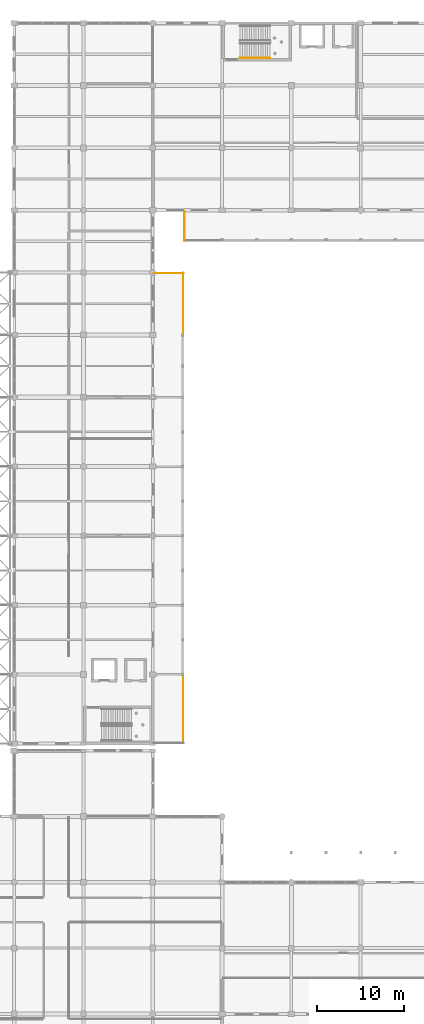
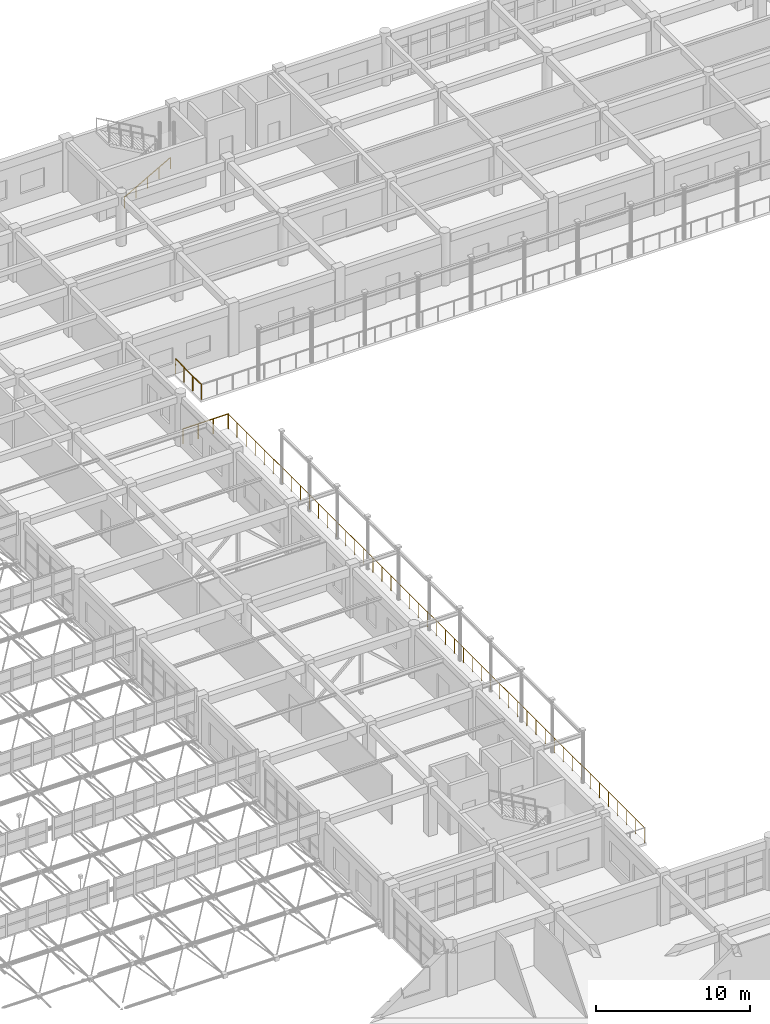
# One storey, part 188 of 195: 4 railings.
"""IFC4 building model written with IfcOpenShell, lengths in metres."""

from ifc_helpers import new_model, si_unit, direction, frame, origin, origin_2d, place, context, subcontext, project, spatial, circle, extrude, material, type_object, element, save


model = new_model("IFC4")

# Units and contexts
model_context = context("Model", 3, precision=1e-05, world=origin(), true_north=direction((0.0, 1.0)))
body_context = subcontext(model_context, "Body", "Model", "MODEL_VIEW")
ifc_project = project(units=[si_unit("LENGTHUNIT", "METRE"), si_unit("AREAUNIT", "SQUARE_METRE"), si_unit("VOLUMEUNIT", "CUBIC_METRE"), si_unit("PLANEANGLEUNIT", "RADIAN"), si_unit("MASSUNIT", "GRAM", prefix="KILO")], contexts=[model_context])

# Site, building, storey
site_placement = place(None, origin())
site = spatial("IfcSite", under=ifc_project, at=site_placement, CompositionType="ELEMENT")
building_placement = place(site_placement, origin())
building = spatial("IfcBuilding", under=site, at=building_placement, Name="Kharva Crest Polytechnic", CompositionType="ELEMENT")
storey_placement = place(building_placement, frame((0.0, 0.0, 9.0)))
storey = spatial("IfcBuildingStorey", under=building, at=storey_placement, Name="L02", CompositionType="ELEMENT", Elevation=9.0)

# Railings
ifc_material_1 = material(Name="Anodised aluminium", Category="aluminium")
railing_type_1 = type_object("IfcRailingType", Name="RL-BALUSTRADE-1200", PredefinedType="BALUSTRADE", material=ifc_material_1)
railing_1_placement = place(storey_placement, frame((48.139892578125, 93.1201171875, 0.0)))
element("IfcRailing", 1, at=railing_1_placement, inside=storey, type_object=railing_type_1, Name="L02 VER_W_L02 N Balustrade 13", PredefinedType="BALUSTRADE", context=body_context, shape_type="SweptSolid", body=[
    extrude(circle(Radius=0.02392578125, at=origin_2d()), frame((0.0, 0.0, 1.17578125), z_axis=(1.0, 0.0, 0.0), x_axis=(0.0, 1.0, 0.0)), (0.0, 0.0, 1.0), 3.400146484375),
    extrude(circle(Radius=0.02099609375, at=origin_2d()), origin(), (0.0, 0.0, 1.0), 1.15185546875),
    extrude(circle(Radius=0.02099609375, at=origin_2d()), frame((1.13330078125, 0.0, 0.0)), (0.0, 0.0, 1.0), 1.15185546875),
    extrude(circle(Radius=0.02099609375, at=origin_2d()), frame((2.266845703125, 0.0, 0.0)), (0.0, 0.0, 1.0), 1.15185546875),
    extrude(circle(Radius=0.02099609375, at=origin_2d()), frame((3.400146484375, 0.0, 0.0)), (0.0, 0.0, 1.0), 1.15185546875),
])
railing_2_placement = place(storey_placement, frame((51.52001953125, 38.860107421875, 0.0)))
element("IfcRailing", 2, at=railing_2_placement, inside=storey, type_object=railing_type_1, Name="L02 VER_W_L02 E Balustrade 14", PredefinedType="BALUSTRADE", context=body_context, shape_type="SweptSolid", body=[
    extrude(circle(Radius=0.02392578125, at=origin_2d()), frame((0.0, 0.0, 1.17578125), z_axis=(0.0, 1.0, 0.0), x_axis=(-1.0, 0.0, 0.0)), (0.0, 0.0, 1.0), 54.27978515625),
    extrude(circle(Radius=0.02099609375, at=origin_2d()), origin(), (0.0, 0.0, 1.0), 1.15185546875),
    extrude(circle(Radius=0.02099609375, at=origin_2d()), frame((0.0, 1.179931640625, 0.0)), (0.0, 0.0, 1.0), 1.15185546875),
    extrude(circle(Radius=0.02099609375, at=origin_2d()), frame((0.0, 2.360107421875, 0.0)), (0.0, 0.0, 1.0), 1.15185546875),
    extrude(circle(Radius=0.02099609375, at=origin_2d()), frame((0.0, 3.5400390625, 0.0)), (0.0, 0.0, 1.0), 1.15185546875),
    extrude(circle(Radius=0.02099609375, at=origin_2d()), frame((0.0, 4.719970703125, 0.0)), (0.0, 0.0, 1.0), 1.15185546875),
    extrude(circle(Radius=0.02099609375, at=origin_2d()), frame((0.0, 5.89990234375, 0.0)), (0.0, 0.0, 1.0), 1.15185546875),
    extrude(circle(Radius=0.02099609375, at=origin_2d()), frame((0.0, 7.080078125, 0.0)), (0.0, 0.0, 1.0), 1.15185546875),
    extrude(circle(Radius=0.02099609375, at=origin_2d()), frame((0.0, 8.260009765625, 0.0)), (0.0, 0.0, 1.0), 1.15185546875),
    extrude(circle(Radius=0.02099609375, at=origin_2d()), frame((0.0, 9.43994140625, 0.0)), (0.0, 0.0, 1.0), 1.15185546875),
    extrude(circle(Radius=0.02099609375, at=origin_2d()), frame((0.0, 10.619873046875, 0.0)), (0.0, 0.0, 1.0), 1.15185546875),
    extrude(circle(Radius=0.02099609375, at=origin_2d()), frame((0.0, 11.800048828125, 0.0)), (0.0, 0.0, 1.0), 1.15185546875),
    extrude(circle(Radius=0.02099609375, at=origin_2d()), frame((0.0, 12.97998046875, 0.0)), (0.0, 0.0, 1.0), 1.15185546875),
    extrude(circle(Radius=0.02099609375, at=origin_2d()), frame((0.0, 14.159912109375, 0.0)), (0.0, 0.0, 1.0), 1.15185546875),
    extrude(circle(Radius=0.02099609375, at=origin_2d()), frame((0.0, 15.33984375, 0.0)), (0.0, 0.0, 1.0), 1.15185546875),
    extrude(circle(Radius=0.02099609375, at=origin_2d()), frame((0.0, 16.52001953125, 0.0)), (0.0, 0.0, 1.0), 1.15185546875),
    extrude(circle(Radius=0.02099609375, at=origin_2d()), frame((0.0, 17.699951171875, 0.0)), (0.0, 0.0, 1.0), 1.15185546875),
    extrude(circle(Radius=0.02099609375, at=origin_2d()), frame((0.0, 18.8798828125, 0.0)), (0.0, 0.0, 1.0), 1.15185546875),
    extrude(circle(Radius=0.02099609375, at=origin_2d()), frame((0.0, 20.059814453125, 0.0)), (0.0, 0.0, 1.0), 1.15185546875),
    extrude(circle(Radius=0.02099609375, at=origin_2d()), frame((0.0, 21.239990234375, 0.0)), (0.0, 0.0, 1.0), 1.15185546875),
    extrude(circle(Radius=0.02099609375, at=origin_2d()), frame((0.0, 22.419921875, 0.0)), (0.0, 0.0, 1.0), 1.15185546875),
    extrude(circle(Radius=0.02099609375, at=origin_2d()), frame((0.0, 23.599853515625, 0.0)), (0.0, 0.0, 1.0), 1.15185546875),
    extrude(circle(Radius=0.02099609375, at=origin_2d()), frame((0.0, 24.77978515625, 0.0)), (0.0, 0.0, 1.0), 1.15185546875),
    extrude(circle(Radius=0.02099609375, at=origin_2d()), frame((0.0, 25.9599609375, 0.0)), (0.0, 0.0, 1.0), 1.15185546875),
    extrude(circle(Radius=0.02099609375, at=origin_2d()), frame((0.0, 27.139892578125, 0.0)), (0.0, 0.0, 1.0), 1.15185546875),
    extrude(circle(Radius=0.02099609375, at=origin_2d()), frame((0.0, 28.31982421875, 0.0)), (0.0, 0.0, 1.0), 1.15185546875),
    extrude(circle(Radius=0.02099609375, at=origin_2d()), frame((0.0, 29.5, 0.0)), (0.0, 0.0, 1.0), 1.15185546875),
    extrude(circle(Radius=0.02099609375, at=origin_2d()), frame((0.0, 30.679931640625, 0.0)), (0.0, 0.0, 1.0), 1.15185546875),
    extrude(circle(Radius=0.02099609375, at=origin_2d()), frame((0.0, 31.85986328125, 0.0)), (0.0, 0.0, 1.0), 1.15185546875),
    extrude(circle(Radius=0.02099609375, at=origin_2d()), frame((0.0, 33.039794921875, 0.0)), (0.0, 0.0, 1.0), 1.15185546875),
    extrude(circle(Radius=0.02099609375, at=origin_2d()), frame((0.0, 34.219970703125, 0.0)), (0.0, 0.0, 1.0), 1.15185546875),
    extrude(circle(Radius=0.02099609375, at=origin_2d()), frame((0.0, 35.39990234375, 0.0)), (0.0, 0.0, 1.0), 1.15185546875),
    extrude(circle(Radius=0.02099609375, at=origin_2d()), frame((0.0, 36.579833984375, 0.0)), (0.0, 0.0, 1.0), 1.15185546875),
    extrude(circle(Radius=0.02099609375, at=origin_2d()), frame((0.0, 37.759765625, 0.0)), (0.0, 0.0, 1.0), 1.15185546875),
    extrude(circle(Radius=0.02099609375, at=origin_2d()), frame((0.0, 38.93994140625, 0.0)), (0.0, 0.0, 1.0), 1.15185546875),
    extrude(circle(Radius=0.02099609375, at=origin_2d()), frame((0.0, 40.119873046875, 0.0)), (0.0, 0.0, 1.0), 1.15185546875),
    extrude(circle(Radius=0.02099609375, at=origin_2d()), frame((0.0, 41.2998046875, 0.0)), (0.0, 0.0, 1.0), 1.15185546875),
    extrude(circle(Radius=0.02099609375, at=origin_2d()), frame((0.0, 42.479736328125, 0.0)), (0.0, 0.0, 1.0), 1.15185546875),
    extrude(circle(Radius=0.02099609375, at=origin_2d()), frame((0.0, 43.659912109375, 0.0)), (0.0, 0.0, 1.0), 1.15185546875),
    extrude(circle(Radius=0.02099609375, at=origin_2d()), frame((0.0, 44.83984375, 0.0)), (0.0, 0.0, 1.0), 1.15185546875),
    extrude(circle(Radius=0.02099609375, at=origin_2d()), frame((0.0, 46.019775390625, 0.0)), (0.0, 0.0, 1.0), 1.15185546875),
    extrude(circle(Radius=0.02099609375, at=origin_2d()), frame((0.0, 47.19970703125, 0.0)), (0.0, 0.0, 1.0), 1.15185546875),
    extrude(circle(Radius=0.02099609375, at=origin_2d()), frame((0.0, 48.3798828125, 0.0)), (0.0, 0.0, 1.0), 1.15185546875),
    extrude(circle(Radius=0.02099609375, at=origin_2d()), frame((0.0, 49.559814453125, 0.0)), (0.0, 0.0, 1.0), 1.15185546875),
    extrude(circle(Radius=0.02099609375, at=origin_2d()), frame((0.0, 50.73974609375, 0.0)), (0.0, 0.0, 1.0), 1.15185546875),
    extrude(circle(Radius=0.02099609375, at=origin_2d()), frame((0.0, 51.919677734375, 0.0)), (0.0, 0.0, 1.0), 1.15185546875),
    extrude(circle(Radius=0.02099609375, at=origin_2d()), frame((0.0, 53.099853515625, 0.0)), (0.0, 0.0, 1.0), 1.15185546875),
    extrude(circle(Radius=0.02099609375, at=origin_2d()), frame((0.0, 54.27978515625, 0.0)), (0.0, 0.0, 1.0), 1.15185546875),
])
railing_3_placement = place(storey_placement, frame((51.679931640625, 96.860107421875, 0.0)))
element("IfcRailing", 3, at=railing_3_placement, inside=storey, type_object=railing_type_1, Name="L02 VER_N_L02 W Balustrade 16", PredefinedType="BALUSTRADE", context=body_context, shape_type="SweptSolid", body=[
    extrude(circle(Radius=0.02392578125, at=origin_2d()), frame((0.0, 0.0, 1.17578125), z_axis=(0.0, 1.0, 0.0), x_axis=(-1.0, 0.0, 0.0)), (0.0, 0.0, 1.0), 3.39990234375),
    extrude(circle(Radius=0.02099609375, at=origin_2d()), origin(), (0.0, 0.0, 1.0), 1.15185546875),
    extrude(circle(Radius=0.02099609375, at=origin_2d()), frame((0.0, 1.13330078125, 0.0)), (0.0, 0.0, 1.0), 1.15185546875),
    extrude(circle(Radius=0.02099609375, at=origin_2d()), frame((0.0, 2.2666015625, 0.0)), (0.0, 0.0, 1.0), 1.15185546875),
    extrude(circle(Radius=0.02099609375, at=origin_2d()), frame((0.0, 3.39990234375, 0.0)), (0.0, 0.0, 1.0), 1.15185546875),
])
ifc_material_2 = material(Name="Teak timber", Category="wood")
railing_type_2 = type_object("IfcRailingType", Name="RL-STAIR-HAND-900", PredefinedType="HANDRAIL", material=ifc_material_2)
railing_4_placement = place(storey_placement, frame((58.090087890625, 117.989990234375, 0.14990234375)))
element("IfcRailing", 4, at=railing_4_placement, inside=storey, type_object=railing_type_2, Name="L02 ST-03 stair handrail 1", PredefinedType="HANDRAIL", context=body_context, shape_type="SweptSolid", body=[
    extrude(circle(Radius=0.02392578125, at=origin_2d()), frame((0.0, 0.0, 0.8759765625), z_axis=(0.870224926921, 0.0, 0.492654621987), x_axis=(0.0, 1.0, 0.0)), (0.0, 0.0, 1.0), 3.95849609375),
    extrude(circle(Radius=0.02099609375, at=origin_2d()), origin(), (0.0, 0.0, 1.0), 0.851806640625),
    extrude(circle(Radius=0.02099609375, at=origin_2d()), frame((0.861328125, 0.0, 0.487548828125)), (0.0, 0.0, 1.0), 0.851806640625),
    extrude(circle(Radius=0.02099609375, at=origin_2d()), frame((1.722412109375, 0.0, 0.97509765625)), (0.0, 0.0, 1.0), 0.851806640625),
    extrude(circle(Radius=0.02099609375, at=origin_2d()), frame((2.58349609375, 0.0, 1.462646484375)), (0.0, 0.0, 1.0), 0.851806640625),
    extrude(circle(Radius=0.02099609375, at=origin_2d()), frame((3.44482421875, 0.0, 1.9501953125)), (0.0, 0.0, 1.0), 0.851806640625),
])

save(model, "model.ifc")
